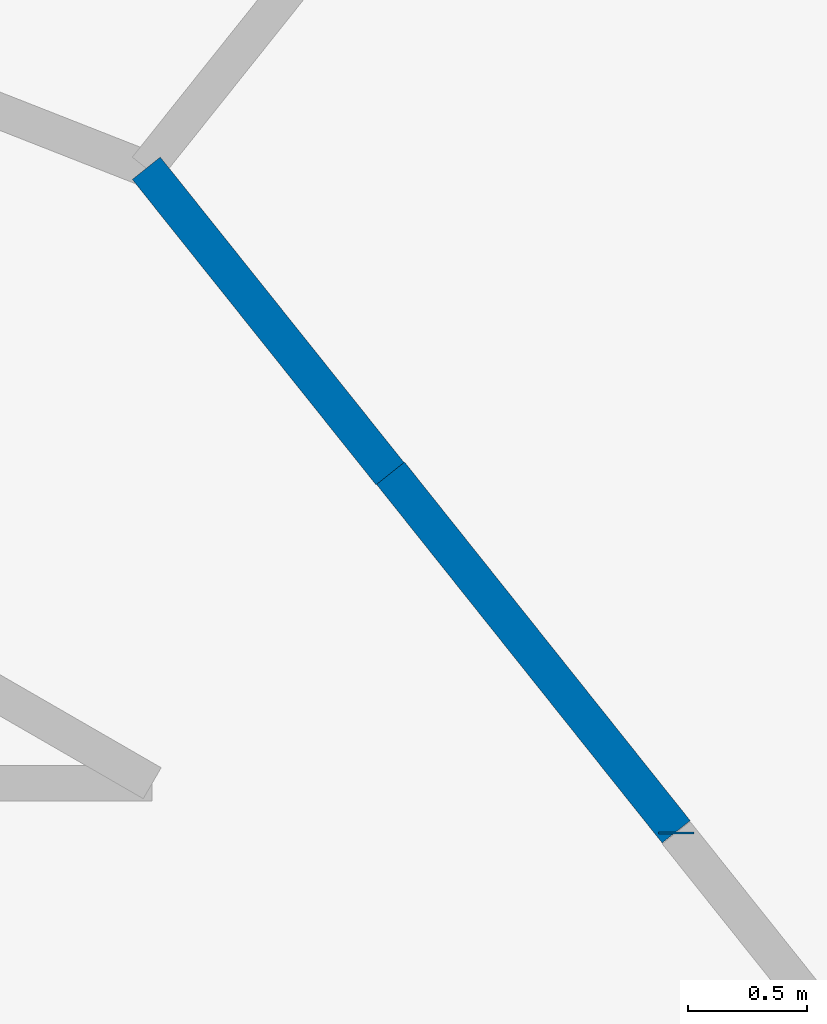
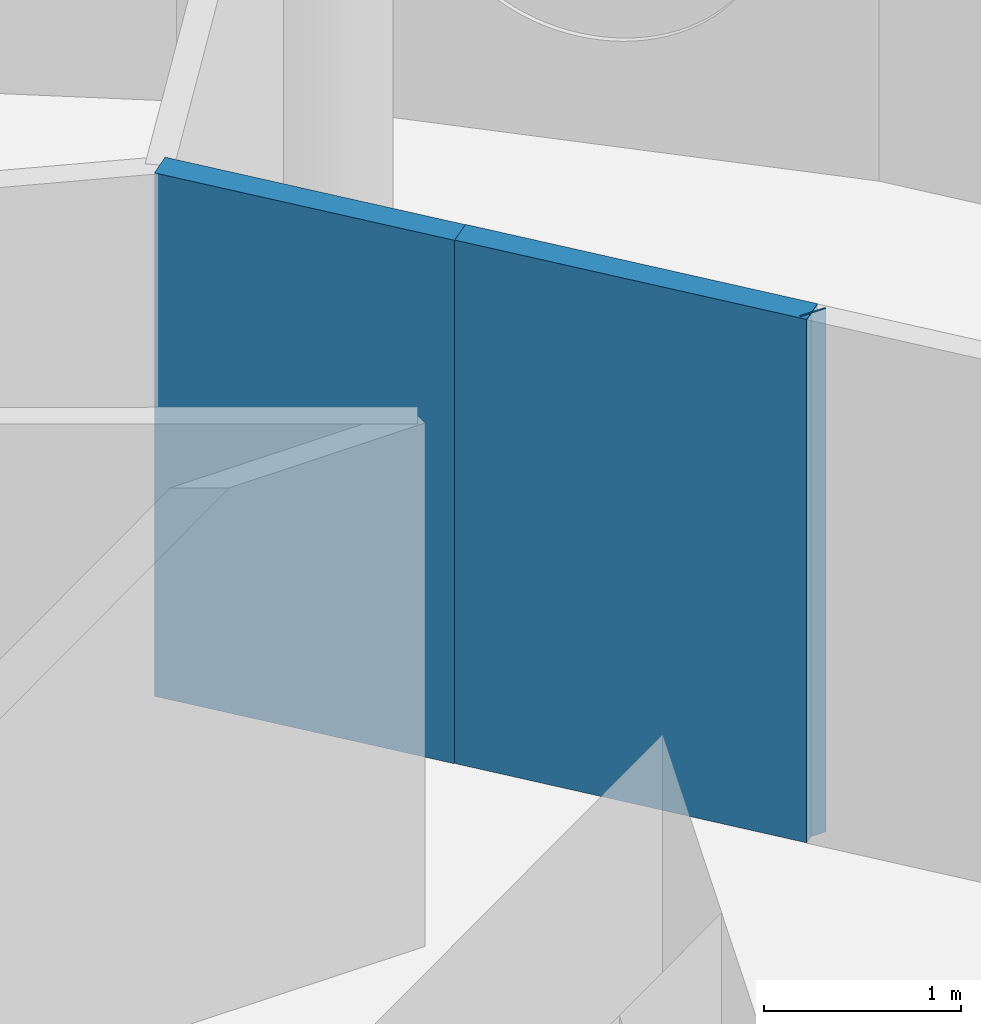
# One storey, part 7 of 11: 3 walls.
"""IFC4 building model written with IfcOpenShell, lengths in metres."""

from ifc_helpers import new_model, si_unit, direction, frame, frame_2d, origin, place, context, subcontext, project, spatial, rectangle, extrude, material, layer, layer_set, type_object, element, save


model = new_model("IFC4")

# Units and contexts
model_context = context("Model", 3, precision=1e-05, world=origin(), true_north=direction((0.0, 1.0)))
body_context = subcontext(model_context, "Body", "Model", "MODEL_VIEW")
ifc_project = project(units=[si_unit("LENGTHUNIT", "METRE"), si_unit("AREAUNIT", "SQUARE_METRE"), si_unit("VOLUMEUNIT", "CUBIC_METRE"), si_unit("PLANEANGLEUNIT", "RADIAN"), si_unit("MASSUNIT", "GRAM", prefix="KILO")], contexts=[model_context])

# Site, building, storey
site_placement = place(None, origin())
site = spatial("IfcSite", under=ifc_project, at=site_placement, CompositionType="ELEMENT")
building_placement = place(site_placement, origin())
building = spatial("IfcBuilding", under=site, at=building_placement, Name="Tracery Tower", CompositionType="ELEMENT")
storey_placement = place(building_placement, frame((0.0, 0.0, 263.39990234375)))
storey = spatial("IfcBuildingStorey", under=building, at=storey_placement, Name="L68", CompositionType="ELEMENT", Elevation=263.39990234375)

# Walls
ifc_material = material(Name="Plasterboard on steel studs", Category="steel")
ifc_layer = layer(ifc_material, 0.14990234375)
ifc_layer_set = layer_set([ifc_layer], Name="Partition 150 corridor wall")
wall_type = type_object("IfcWallType", Name="Partition 150 corridor wall", PredefinedType="PARTITIONING", material=ifc_layer_set)
wall_1_placement = place(storey_placement, frame((10.10107421875, 10.10107421875, 0.0), z_axis=(0.0, 0.0, 1.0), x_axis=(0.623130947784, -0.782117524362, 0.0)))
element("IfcWall", 1, at=wall_1_placement, inside=storey, type_object=wall_type, Name="Corridor wall RC4-004", PredefinedType="PARTITIONING", context=body_context, shape_type="SweptSolid", body=[
    extrude(rectangle(XDim=1.924072265625, YDim=0.14990234375, at=frame_2d((0.9619140625, 0.0))), origin(), (0.0, 0.0, 1.0), 3.25),
])
wall_2_placement = place(storey_placement, frame((11.300048828125, 8.5859375, 0.0), z_axis=(0.0, 0.0, 1.0), x_axis=(0.0, 1.0, 0.0)))
element("IfcWall", 2, at=wall_2_placement, inside=storey, type_object=wall_type, Name="Corridor wall RC4-006", PredefinedType="PARTITIONING", context=body_context, shape_type="SweptSolid", body=[
    extrude(rectangle(XDim=0.01025390625, YDim=0.14990234375, at=frame_2d((0.005126953125, 0.0))), origin(), (0.0, 0.0, 1.0), 3.25),
])
wall_3_placement = place(storey_placement, frame((9.075927734375, 11.381103515625, 0.0), z_axis=(0.0, 0.0, 1.0), x_axis=(0.623805208652, -0.781579849829, 0.0)))
element("IfcWall", 3, at=wall_3_placement, inside=storey, type_object=wall_type, Name="Corridor wall RC4-026", PredefinedType="PARTITIONING", context=body_context, shape_type="SweptSolid", body=[
    extrude(rectangle(XDim=1.64013671875, YDim=0.14990234375, at=frame_2d((0.820068359375, 0.0))), origin(), (0.0, 0.0, 1.0), 3.25),
])

save(model, "model.ifc")
